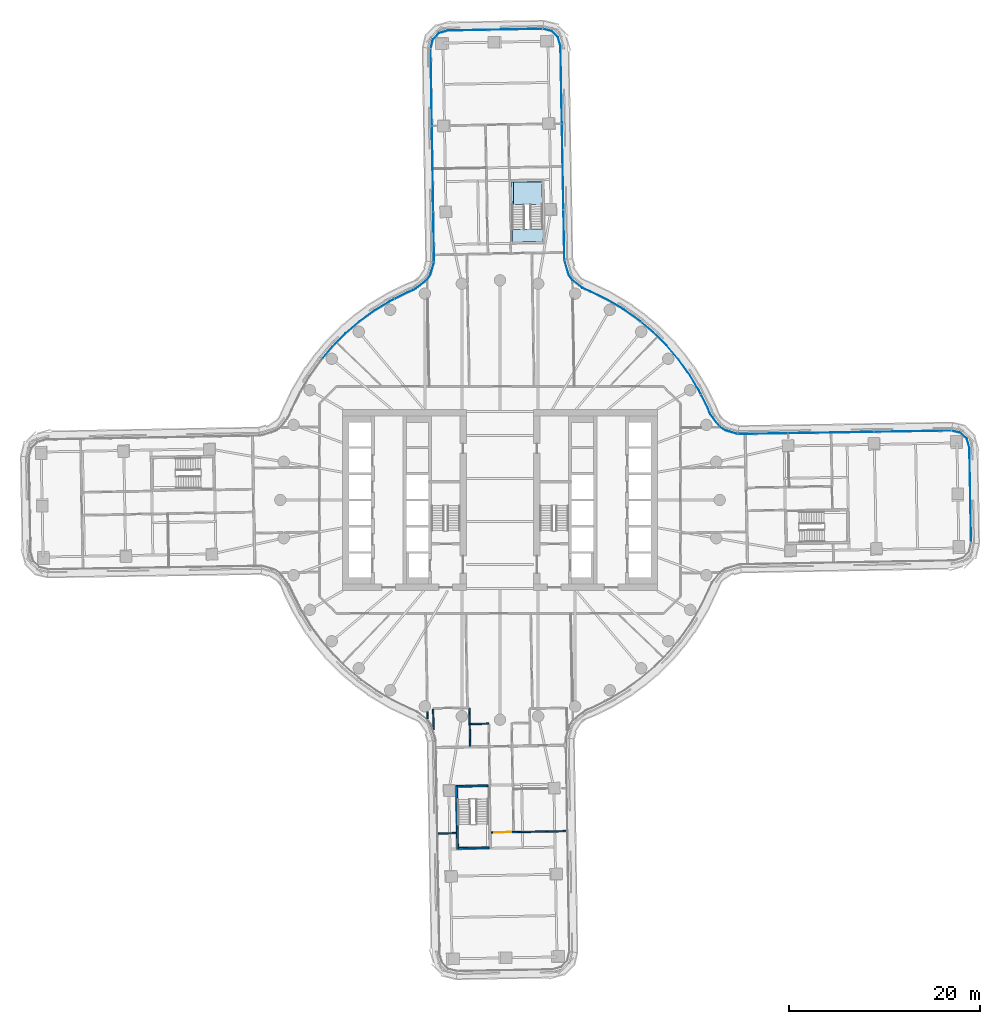
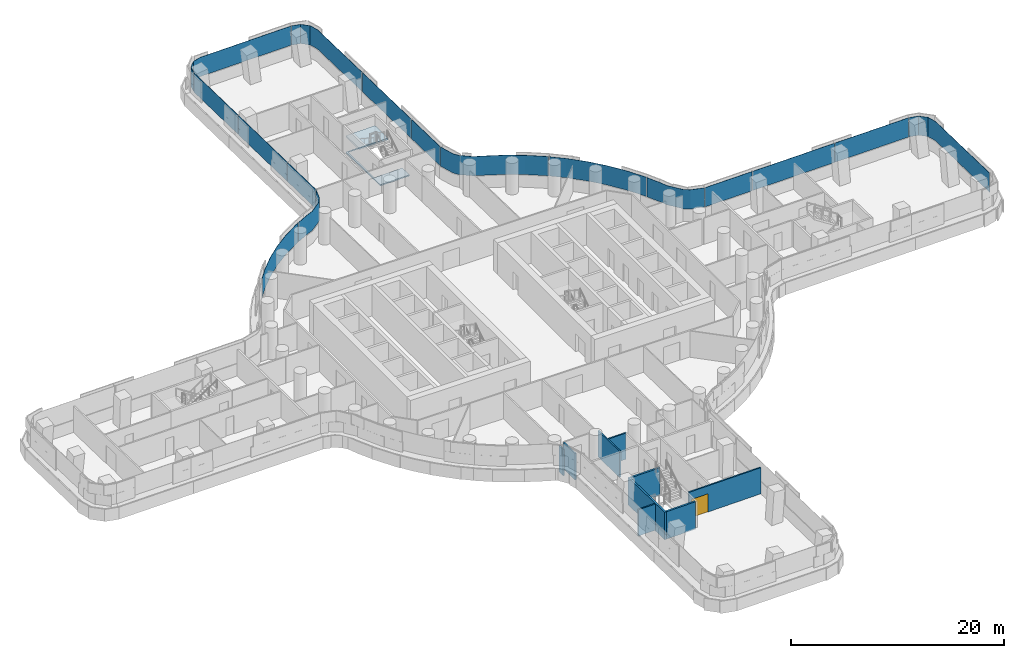
# One storey, part 18 of 31: 16 plates, 9 walls, 2 slabs, 1 door, 1 opening, 8 elements without a shape of their own.
"""IFC4 building model written with IfcOpenShell, lengths in metres."""

from ifc_helpers import new_model, si_unit, direction, frame, frame_2d, origin, place, context, subcontext, project, spatial, polyline, rectangle, outline, extrude, material, layer, layer_set, type_object, element, fill, aggregate, save


model = new_model("IFC4")

# Units and contexts
model_context = context("Model", 3, precision=1e-05, world=origin(), true_north=direction((0.0, 1.0)))
body_context = subcontext(model_context, "Body", "Model", "MODEL_VIEW")
ifc_project = project(units=[si_unit("LENGTHUNIT", "METRE"), si_unit("AREAUNIT", "SQUARE_METRE"), si_unit("VOLUMEUNIT", "CUBIC_METRE"), si_unit("PLANEANGLEUNIT", "RADIAN"), si_unit("MASSUNIT", "GRAM", prefix="KILO")], contexts=[model_context])

# Site, building, storey
site_placement = place(None, origin())
site = spatial("IfcSite", under=ifc_project, at=site_placement, CompositionType="ELEMENT")
building_placement = place(site_placement, origin())
building = spatial("IfcBuilding", under=site, at=building_placement, Name="Tamarind Cross Interchange Tower", CompositionType="ELEMENT")
storey_placement = place(building_placement, frame((0.0, 0.0, 37.75)))
storey = spatial("IfcBuildingStorey", under=building, at=storey_placement, Name="L07", CompositionType="ELEMENT", Elevation=37.75)

# Slab
ifc_material_1 = material(Name="Concrete C35", Category="concrete")
ifc_layer_1 = layer(ifc_material_1, 0.139892578125)
ifc_layer_set_1 = layer_set([ifc_layer_1], Name="Concrete C35")
slab_type_1 = type_object("IfcSlabType", Name="Composite slab 140 Concrete C35", PredefinedType="FLOOR", material=ifc_layer_set_1)
slab_1_placement = place(storey_placement, frame((0.0, 0.0, -0.139892578125)))
element("IfcSlab", 1, at=slab_1_placement, inside=storey, type_object=slab_type_1, Name="Floor slab L07", PredefinedType="FLOOR", context=body_context, shape_type="SweptSolid", body=[
    extrude(outline(polyline([(1.30859375, 27.024658203125), (4.508056640625, 27.0830078125), (4.485595703125, 28.31201171875), (4.484130859375, 28.394775390625), (1.39990234375, 28.338623046875), (1.39990234375, 33.300048828125), (4.394775390625, 33.300048828125), (4.393310546875, 33.382080078125), (1.193603515625, 33.323486328125), (1.30859375, 27.024658203125)])), origin(), (0.0, 0.0, 1.0), 0.139892578125),
])

# Stair, slab
ifc_material_2 = material(Name="Exit stair")
stair_type = type_object("IfcStairType", Name="Exit stair", PredefinedType="HALF_TURN_STAIR", material=ifc_material_2)
stair_placement = place(storey_placement, origin())
stair = element("IfcStair", 2, at=stair_placement, inside=storey, type_object=stair_type, Name="L07 exit stair ST4", PredefinedType="HALF_TURN_STAIR")
ifc_material_3 = material(Name="Concrete C40", Category="concrete")
ifc_layer_2 = layer(ifc_material_3, 0.199951171875)
ifc_layer_set_2 = layer_set([ifc_layer_2], Name="Concrete C40")
slab_type_2 = type_object("IfcSlabType", Name="Stair landing", PredefinedType="LANDING", material=ifc_layer_set_2)
slab_2_placement = place(storey_placement, frame((0.0, 0.0, 1.675048828125)))
slab_2 = element("IfcSlab", 3, at=slab_2_placement, type_object=slab_type_2, Name="ST4 landing 1", PredefinedType="LANDING", context=body_context, shape_type="SweptSolid", body=[
    extrude(outline(polyline([(4.437255859375, 30.970458984375), (4.393310546875, 33.382080078125), (1.193603515625, 33.32373046875), (1.23779296875, 30.912109375), (4.437255859375, 30.970458984375)])), origin(), (0.0, 0.0, 1.0), 0.199951171875),
])
aggregate(stair, [slab_2])

# Curtain wall, plate
ifc_material_4 = material(Name="Aluminium 6063-T6", Category="aluminium")
ifc_layer_3 = layer(ifc_material_4, 0.159912109375)
ifc_layer_set_3 = layer_set([ifc_layer_3], Name="Aluminium 6063-T6")
curtain_wall_type = type_object("IfcCurtainWallType", Name="Office curtain wall, 9.0 m bays", PredefinedType="NOTDEFINED", material=ifc_layer_set_3)
curtain_wall_1_placement = place(storey_placement, origin())
curtain_wall_1 = element("IfcCurtainWall", 4, at=curtain_wall_1_placement, inside=storey, type_object=curtain_wall_type, Name="CWS-L07-00", PredefinedType="NOTDEFINED")
ifc_material_5 = material(Name="Laminated low-e glass 8+1.52+8", Category="glass")
ifc_layer_4 = layer(ifc_material_5, 0.028076171875)
ifc_layer_set_4 = layer_set([ifc_layer_4], Name="Laminated low-e glass 8+1.52+8")
plate_type = type_object("IfcPlateType", Name="Vision panel CW1", PredefinedType="CURTAIN_PANEL", material=ifc_layer_set_4)
plate_1_placement = place(storey_placement, frame((0.0, 0.0, 1.39990234375)))
plate_1 = element("IfcPlate", 5, at=plate_1_placement, type_object=plate_type, Name="CWP-L07-00-00", PredefinedType="CURTAIN_PANEL", context=body_context, shape_type="SweptSolid", body=[
    extrude(outline(polyline([(4.4462890625, 49.324462890625), (-5.4677734375, 49.1435546875), (-6.38037109375, 48.881103515625), (-7.01953125, 48.218505859375), (-7.24169921875, 47.32373046875), (-7.268798828125, 47.33056640625), (-7.044677734375, 48.232421875), (-6.3955078125, 48.906005859375), (-5.471923828125, 49.171630859375), (4.445556640625, 49.3525390625), (4.4462890625, 49.324462890625)])), origin(), (0.0, 0.0, 1.0), 2.210205078125),
])
aggregate(curtain_wall_1, [plate_1])

# Curtain wall, plates
curtain_wall_2_placement = place(storey_placement, origin())
curtain_wall_2 = element("IfcCurtainWall", 6, at=curtain_wall_2_placement, inside=storey, type_object=curtain_wall_type, Name="CWS-L07-01", PredefinedType="NOTDEFINED")
plate_2_placement = place(storey_placement, frame((0.0, 0.0, 1.39990234375)))
plate_2 = element("IfcPlate", 7, at=plate_2_placement, type_object=plate_type, Name="CWP-L07-01-00", PredefinedType="CURTAIN_PANEL", context=body_context, shape_type="SweptSolid", body=[
    extrude(outline(polyline([(-7.248046875, 47.268310546875), (-7.116943359375, 39.175048828125), (-7.14501953125, 39.174560546875), (-7.276123046875, 47.267822265625), (-7.248046875, 47.268310546875)])), origin(), (0.0, 0.0, 1.0), 2.210205078125),
])
plate_3_placement = place(storey_placement, frame((0.0, 0.0, 1.39990234375)))
plate_3 = element("IfcPlate", 8, at=plate_3_placement, type_object=plate_type, Name="CWP-L07-01-01", PredefinedType="CURTAIN_PANEL", context=body_context, shape_type="SweptSolid", body=[
    extrude(outline(polyline([(-7.115966796875, 39.114990234375), (-6.97119140625, 30.174560546875), (-6.999267578125, 30.174072265625), (-7.14404296875, 39.114501953125), (-7.115966796875, 39.114990234375)])), origin(), (0.0, 0.0, 1.0), 2.210205078125),
])
plate_4_placement = place(storey_placement, frame((0.0, 0.0, 1.39990234375)))
plate_4 = element("IfcPlate", 9, at=plate_4_placement, type_object=plate_type, Name="CWP-L07-01-02", PredefinedType="CURTAIN_PANEL", context=body_context, shape_type="SweptSolid", body=[
    extrude(outline(polyline([(-6.97021484375, 30.114501953125), (-6.886474609375, 24.947998046875), (-6.91455078125, 24.947509765625), (-6.998291015625, 30.114013671875), (-6.97021484375, 30.114501953125)])), origin(), (0.0, 0.0, 1.0), 2.210205078125),
])
aggregate(curtain_wall_2, [plate_2, plate_3, plate_4])

curtain_wall_3_placement = place(storey_placement, origin())
curtain_wall_3 = element("IfcCurtainWall", 10, at=curtain_wall_3_placement, inside=storey, type_object=curtain_wall_type, Name="CWS-L07-02", PredefinedType="NOTDEFINED")
plate_5_placement = place(storey_placement, frame((0.0, 0.0, 1.39990234375)))
plate_5 = element("IfcPlate", 11, at=plate_5_placement, type_object=plate_type, Name="CWP-L07-02-00", PredefinedType="CURTAIN_PANEL", context=body_context, shape_type="SweptSolid", body=[
    extrude(outline(polyline([(-6.89501953125, 24.885009765625), (-7.281982421875, 23.56884765625), (-7.64599609375, 23.02587890625), (-9.001953125, 21.99853515625), (-9.645751953125, 21.73779296875), (-11.045654296875, 21.0458984375), (-11.05810546875, 21.071044921875), (-9.6572265625, 21.763427734375), (-9.015869140625, 22.02294921875), (-7.66650390625, 23.04541015625), (-7.307861328125, 23.5810546875), (-6.921875, 24.892822265625), (-6.89501953125, 24.885009765625)])), origin(), (0.0, 0.0, 1.0), 2.210205078125),
])
plate_6_placement = place(storey_placement, frame((0.0, 0.0, 1.39990234375)))
plate_6 = element("IfcPlate", 12, at=plate_6_placement, type_object=plate_type, Name="CWP-L07-02-01", PredefinedType="CURTAIN_PANEL", context=body_context, shape_type="SweptSolid", body=[
    extrude(outline(polyline([(-11.099365234375, 21.019287109375), (-11.40869140625, 20.866455078125), (-13.093017578125, 19.85302734375), (-14.687744140625, 18.7041015625), (-16.18212890625, 17.42724609375), (-17.56591796875, 16.031494140625), (-18.601318359375, 14.798583984375), (-18.62255859375, 14.81640625), (-17.586669921875, 16.05029296875), (-16.201171875, 17.44775390625), (-14.705078125, 18.72607421875), (-13.1083984375, 19.87646484375), (-11.422119140625, 20.89111328125), (-11.11181640625, 21.04443359375), (-11.099365234375, 21.019287109375)])), origin(), (0.0, 0.0, 1.0), 2.210205078125),
])
aggregate(curtain_wall_3, [plate_5, plate_6])

# Curtain wall, plate
curtain_wall_4_placement = place(storey_placement, origin())
curtain_wall_4 = element("IfcCurtainWall", 13, at=curtain_wall_4_placement, inside=storey, type_object=curtain_wall_type, Name="CWS-L07-12", PredefinedType="NOTDEFINED")
plate_7_placement = place(storey_placement, frame((0.0, 0.0, 1.39990234375)))
plate_7 = element("IfcPlate", 14, at=plate_7_placement, type_object=plate_type, Name="CWP-L07-12-00", PredefinedType="CURTAIN_PANEL", context=body_context, shape_type="SweptSolid", body=[
    extrude(outline(polyline([(49.324462890625, -4.4462890625), (49.1435546875, 5.4677734375), (48.881103515625, 6.38037109375), (48.218505859375, 7.01953125), (47.32373046875, 7.24169921875), (47.33056640625, 7.268798828125), (48.232421875, 7.044677734375), (48.906005859375, 6.3955078125), (49.171630859375, 5.471923828125), (49.3525390625, -4.445556640625), (49.324462890625, -4.4462890625)])), origin(), (0.0, 0.0, 1.0), 2.210205078125),
])
aggregate(curtain_wall_4, [plate_7])

# Curtain wall, plates
curtain_wall_5_placement = place(storey_placement, origin())
curtain_wall_5 = element("IfcCurtainWall", 15, at=curtain_wall_5_placement, inside=storey, type_object=curtain_wall_type, Name="CWS-L07-13", PredefinedType="NOTDEFINED")
plate_8_placement = place(storey_placement, frame((0.0, 0.0, 1.39990234375)))
plate_8 = element("IfcPlate", 16, at=plate_8_placement, type_object=plate_type, Name="CWP-L07-13-00", PredefinedType="CURTAIN_PANEL", context=body_context, shape_type="SweptSolid", body=[
    extrude(outline(polyline([(47.268310546875, 7.248046875), (39.175048828125, 7.116943359375), (39.174560546875, 7.14501953125), (47.267822265625, 7.276123046875), (47.268310546875, 7.248046875)])), origin(), (0.0, 0.0, 1.0), 2.210205078125),
])
plate_9_placement = place(storey_placement, frame((0.0, 0.0, 1.39990234375)))
plate_9 = element("IfcPlate", 17, at=plate_9_placement, type_object=plate_type, Name="CWP-L07-13-01", PredefinedType="CURTAIN_PANEL", context=body_context, shape_type="SweptSolid", body=[
    extrude(outline(polyline([(39.114990234375, 7.115966796875), (30.174560546875, 6.97119140625), (30.174072265625, 6.999267578125), (39.114501953125, 7.14404296875), (39.114990234375, 7.115966796875)])), origin(), (0.0, 0.0, 1.0), 2.210205078125),
])
plate_10_placement = place(storey_placement, frame((0.0, 0.0, 1.39990234375)))
plate_10 = element("IfcPlate", 18, at=plate_10_placement, type_object=plate_type, Name="CWP-L07-13-02", PredefinedType="CURTAIN_PANEL", context=body_context, shape_type="SweptSolid", body=[
    extrude(outline(polyline([(30.114501953125, 6.97021484375), (24.947998046875, 6.886474609375), (24.947509765625, 6.91455078125), (30.114013671875, 6.998291015625), (30.114501953125, 6.97021484375)])), origin(), (0.0, 0.0, 1.0), 2.210205078125),
])
aggregate(curtain_wall_5, [plate_8, plate_9, plate_10])

curtain_wall_6_placement = place(storey_placement, origin())
curtain_wall_6 = element("IfcCurtainWall", 19, at=curtain_wall_6_placement, inside=storey, type_object=curtain_wall_type, Name="CWS-L07-14", PredefinedType="NOTDEFINED")
plate_11_placement = place(storey_placement, frame((0.0, 0.0, 1.39990234375)))
plate_11 = element("IfcPlate", 20, at=plate_11_placement, type_object=plate_type, Name="CWP-L07-14-00", PredefinedType="CURTAIN_PANEL", context=body_context, shape_type="SweptSolid", body=[
    extrude(outline(polyline([(24.885009765625, 6.89501953125), (23.56884765625, 7.281982421875), (23.02587890625, 7.64599609375), (21.99853515625, 9.001953125), (21.73779296875, 9.645751953125), (21.0458984375, 11.045654296875), (21.071044921875, 11.05810546875), (21.763427734375, 9.6572265625), (22.02294921875, 9.015869140625), (23.04541015625, 7.66650390625), (23.5810546875, 7.307861328125), (24.892822265625, 6.921875), (24.885009765625, 6.89501953125)])), origin(), (0.0, 0.0, 1.0), 2.210205078125),
])
plate_12_placement = place(storey_placement, frame((0.0, 0.0, 1.39990234375)))
plate_12 = element("IfcPlate", 21, at=plate_12_placement, type_object=plate_type, Name="CWP-L07-14-01", PredefinedType="CURTAIN_PANEL", context=body_context, shape_type="SweptSolid", body=[
    extrude(outline(polyline([(21.019287109375, 11.099365234375), (20.866455078125, 11.40869140625), (19.85302734375, 13.093017578125), (18.7041015625, 14.687744140625), (17.42724609375, 16.18212890625), (16.031494140625, 17.56591796875), (14.798583984375, 18.601318359375), (14.81640625, 18.62255859375), (16.05029296875, 17.586669921875), (17.44775390625, 16.201171875), (18.72607421875, 14.705078125), (19.87646484375, 13.1083984375), (20.89111328125, 11.422119140625), (21.04443359375, 11.11181640625), (21.019287109375, 11.099365234375)])), origin(), (0.0, 0.0, 1.0), 2.210205078125),
])
plate_13_placement = place(storey_placement, frame((0.0, 0.0, 1.39990234375)))
plate_13 = element("IfcPlate", 22, at=plate_13_placement, type_object=plate_type, Name="CWP-L07-14-02", PredefinedType="CURTAIN_PANEL", context=body_context, shape_type="SweptSolid", body=[
    extrude(outline(polyline([(14.75244140625, 18.639892578125), (14.526123046875, 18.829833984375), (12.921630859375, 19.965087890625), (11.228759765625, 20.9638671875), (9.4541015625, 21.822021484375), (8.627197265625, 22.192138671875), (7.56005859375, 23.03271484375), (7.19677734375, 23.553955078125), (6.73876953125, 25.109619140625), (6.765625, 25.11767578125), (7.222412109375, 23.56640625), (7.580810546875, 23.052001953125), (8.641845703125, 22.21630859375), (9.4658203125, 21.847412109375), (11.241943359375, 20.98876953125), (12.936767578125, 19.988525390625), (14.543212890625, 18.85205078125), (14.7705078125, 18.6611328125), (14.75244140625, 18.639892578125)])), origin(), (0.0, 0.0, 1.0), 2.210205078125),
])
aggregate(curtain_wall_6, [plate_11, plate_12, plate_13])

curtain_wall_7_placement = place(storey_placement, origin())
curtain_wall_7 = element("IfcCurtainWall", 23, at=curtain_wall_7_placement, inside=storey, type_object=curtain_wall_type, Name="CWS-L07-15", PredefinedType="NOTDEFINED")
plate_14_placement = place(storey_placement, frame((0.0, 0.0, 1.39990234375)))
plate_14 = element("IfcPlate", 24, at=plate_14_placement, type_object=plate_type, Name="CWP-L07-15-00", PredefinedType="CURTAIN_PANEL", context=body_context, shape_type="SweptSolid", body=[
    extrude(outline(polyline([(6.729248046875, 25.172119140625), (6.634521484375, 30.365478515625), (6.66259765625, 30.365966796875), (6.75732421875, 25.172607421875), (6.729248046875, 25.172119140625)])), origin(), (0.0, 0.0, 1.0), 2.210205078125),
])
plate_15_placement = place(storey_placement, frame((0.0, 0.0, 1.39990234375)))
plate_15 = element("IfcPlate", 25, at=plate_15_placement, type_object=plate_type, Name="CWP-L07-15-01", PredefinedType="CURTAIN_PANEL", context=body_context, shape_type="SweptSolid", body=[
    extrude(outline(polyline([(6.633544921875, 30.425537109375), (6.470458984375, 39.3642578125), (6.49853515625, 39.36474609375), (6.661376953125, 30.426025390625), (6.633544921875, 30.425537109375)])), origin(), (0.0, 0.0, 1.0), 2.210205078125),
])
plate_16_placement = place(storey_placement, frame((0.0, 0.0, 1.39990234375)))
plate_16 = element("IfcPlate", 26, at=plate_16_placement, type_object=plate_type, Name="CWP-L07-15-02", PredefinedType="CURTAIN_PANEL", context=body_context, shape_type="SweptSolid", body=[
    extrude(outline(polyline([(6.46923828125, 39.42431640625), (6.3212890625, 47.544189453125), (6.058837890625, 48.45703125), (5.39599609375, 49.095947265625), (4.501708984375, 49.318115234375), (4.50830078125, 49.345458984375), (5.41015625, 49.121337890625), (6.08349609375, 48.471923828125), (6.34912109375, 47.54833984375), (6.497314453125, 39.4248046875), (6.46923828125, 39.42431640625)])), origin(), (0.0, 0.0, 1.0), 2.210205078125),
])
aggregate(curtain_wall_7, [plate_14, plate_15, plate_16])

# Walls
ifc_material_6 = material(Name="Gypsum board partition on steel studs", Category="steel")
ifc_layer_5 = layer(ifc_material_6, 0.14990234375)
ifc_layer_set_5 = layer_set([ifc_layer_5], Name="Gypsum board partition on steel studs")
wall_type_1 = type_object("IfcWallType", Name="Partition 150 mm EI 120", PredefinedType="PARTITIONING", material=ifc_layer_set_5)
wall_1_placement = place(storey_placement, frame((-7.5986328125, -22.151123046875, 0.0), z_axis=(0.0, 0.0, 1.0), x_axis=(0.018190621855, -0.999834536949, 0.0)))
element("IfcWall", 27, at=wall_1_placement, inside=storey, type_object=wall_type_1, Name="Partition L07-007", PredefinedType="PARTITIONING", context=body_context, shape_type="SweptSolid", body=[
    extrude(rectangle(XDim=0.751708984375, YDim=0.14990234375, at=frame_2d((0.3759765625, 0.0))), origin(), (0.0, 0.0, 1.0), 3.010009765625),
])
wall_2_placement = place(storey_placement, frame((-7.0029296875, -21.887939453125, 0.0), z_axis=(0.0, 0.0, 1.0), x_axis=(0.018038594045, -0.999837291325, 0.0)))
element("IfcWall", 28, at=wall_2_placement, inside=storey, type_object=wall_type_1, Name="Partition L07-008", PredefinedType="PARTITIONING", context=body_context, shape_type="SweptSolid", body=[
    extrude(rectangle(XDim=2.15185546875, YDim=0.14990234375, at=frame_2d((1.075927734375, 0.0))), origin(), (0.0, 0.0, 1.0), 3.010009765625),
])
wall_3_placement = place(storey_placement, frame((-3.203857421875, -21.818115234375, 0.0), z_axis=(0.0, 0.0, 1.0), x_axis=(0.018269683082, -0.999833095411, 0.0)))
element("IfcWall", 29, at=wall_3_placement, inside=storey, type_object=wall_type_1, Name="Partition L07-012", PredefinedType="PARTITIONING", context=body_context, shape_type="SweptSolid", body=[
    extrude(rectangle(XDim=3.95556640625, YDim=0.14990234375, at=frame_2d((1.977783203125, 0.0))), origin(), (0.0, 0.0, 1.0), 3.010009765625),
])
wall_4_placement = place(storey_placement, frame((-6.464599609375, -34.919921875, 0.0), z_axis=(0.0, 0.0, 1.0), x_axis=(0.999835877781, 0.018116774046, 0.0)))
element("IfcWall", 30, at=wall_4_placement, inside=storey, type_object=wall_type_1, Name="Partition L07-057", PredefinedType="PARTITIONING", context=body_context, shape_type="SweptSolid", body=[
    extrude(rectangle(XDim=1.859619140625, YDim=0.14990234375, at=frame_2d((0.9296875, 0.0))), origin(), (0.0, 0.0, 1.0), 3.010009765625),
])

# Wall, opening, door
wall_5_placement = place(storey_placement, frame((-0.92626953125, -34.819580078125, 0.0), z_axis=(0.0, 0.0, 1.0), x_axis=(0.999836486702, 0.018083137449, 0.0)))
wall_5 = element("IfcWall", 31, at=wall_5_placement, inside=storey, type_object=wall_type_1, Name="Partition L07-058", PredefinedType="PARTITIONING", context=body_context, shape_type="SweptSolid", body=[
    extrude(rectangle(XDim=7.884521484375, YDim=0.14990234375, at=frame_2d((3.9423828125, 0.0))), origin(), (0.0, 0.0, 1.0), 3.010009765625),
])
opening_placement = place(wall_5_placement, frame((0.300048828125, 0.0, 0.0)))
opening = element("IfcOpeningElement", 32, at=opening_placement, cuts=wall_5, Name="Opening D32", PredefinedType="OPENING", context=body_context, shape_type="SweptSolid", body=[
    extrude(rectangle(XDim=1.800048828125, YDim=2.10009765625, at=frame_2d((0.89990234375, 1.050048828125))), frame((0.0, 0.0849609375, 0.0), z_axis=(0.0, -1.0, 0.0), x_axis=(1.0, 0.0, 0.0)), (0.0, 0.0, 1.0), 0.169921875),
])
ifc_material_7 = material(Name="Fire-resisting door set")
door_type = type_object("IfcDoorType", Name="Interior door 1800 x 2100 FD60S", OperationType="DOUBLE_DOOR_SINGLE_SWING", PredefinedType="DOOR", material=ifc_material_7)
door_placement = place(opening_placement, frame((1.800048828125, 0.0, 0.0), z_axis=(0.0, 0.0, 1.0), x_axis=(-1.0, 0.0, 0.0)))
door = element("IfcDoor", 33, at=door_placement, inside=storey, type_object=door_type, Name="Door D32", OperationType="DOUBLE_DOOR_SINGLE_SWING", OverallHeight=2.10009765625, OverallWidth=1.800048828125, PredefinedType="DOOR", context=body_context, shape_type="SweptSolid", body=[
    extrude(rectangle(XDim=1.800048828125, YDim=2.10009765625, at=frame_2d((0.89990234375, 1.050048828125))), frame((0.0, 0.02490234375, 0.0), z_axis=(0.0, -1.0, 0.0), x_axis=(1.0, 0.0, 0.0)), (0.0, 0.0, 1.0), 0.050048828125),
])
fill(opening, door)

# Walls
wall_6_placement = place(storey_placement, frame((-3.114013671875, -23.456787109375, 0.0), z_axis=(0.0, 0.0, 1.0), x_axis=(0.999840358586, 0.017867773838, 0.0)))
element("IfcWall", 34, at=wall_6_placement, inside=storey, type_object=wall_type_1, Name="Partition L07-059", PredefinedType="PARTITIONING", context=body_context, shape_type="SweptSolid", body=[
    extrude(rectangle(XDim=1.940185546875, YDim=0.14990234375, at=frame_2d((0.97021484375, 0.0))), origin(), (0.0, 0.0, 1.0), 3.010009765625),
])
ifc_layer_6 = layer(ifc_material_3, 0.199951171875)
ifc_layer_set_6 = layer_set([ifc_layer_6], Name="Concrete C40")
wall_type_2 = type_object("IfcWallType", Name="Stair shaft wall 200 mm Concrete C40", PredefinedType="SHEAR", material=ifc_layer_set_6)
wall_7_placement = place(storey_placement, frame((-4.556884765625, -29.884521484375, -0.139892578125), z_axis=(0.0, 0.0, 1.0), x_axis=(0.01821987762, -0.999834004252, 0.0)))
element("IfcWall", 35, at=wall_7_placement, inside=storey, type_object=wall_type_2, Name="Core wall CWL-L07-ST6-C", PredefinedType="SHEAR", context=body_context, shape_type="SweptSolid", body=[
    extrude(rectangle(XDim=6.699951171875, YDim=0.199951171875, at=frame_2d((3.35009765625, 0.0))), origin(), (0.0, 0.0, 1.0), 3.14990234375),
])
wall_8_placement = place(storey_placement, frame((-4.455078125, -29.982666015625, -0.139892578125), z_axis=(0.0, 0.0, 1.0), x_axis=(0.999833741661, 0.018234281897, 0.0)))
element("IfcWall", 36, at=wall_8_placement, inside=storey, type_object=wall_type_2, Name="Core wall CWL-L07-ST6-CE", PredefinedType="SHEAR", context=body_context, shape_type="SweptSolid", body=[
    extrude(rectangle(XDim=3.199951171875, YDim=0.199951171875, at=frame_2d((1.60009765625, 0.0))), origin(), (0.0, 0.0, 1.0), 3.14990234375),
])
wall_9_placement = place(storey_placement, frame((0.0, 0.0, -0.139892578125)))
element("IfcWall", 37, at=wall_9_placement, inside=storey, type_object=wall_type_2, Name="Core wall CWL-L07-ST6-CF", PredefinedType="SHEAR", context=body_context, shape_type="SweptSolid", body=[
    extrude(outline(polyline([(-4.33837890625, -36.381591796875), (-4.334716796875, -36.58154296875), (-1.135498046875, -36.523193359375), (-1.138916015625, -36.3232421875), (-4.33837890625, -36.381591796875)])), origin(), (0.0, 0.0, 1.0), 3.14990234375),
])

save(model, "model.ifc")
